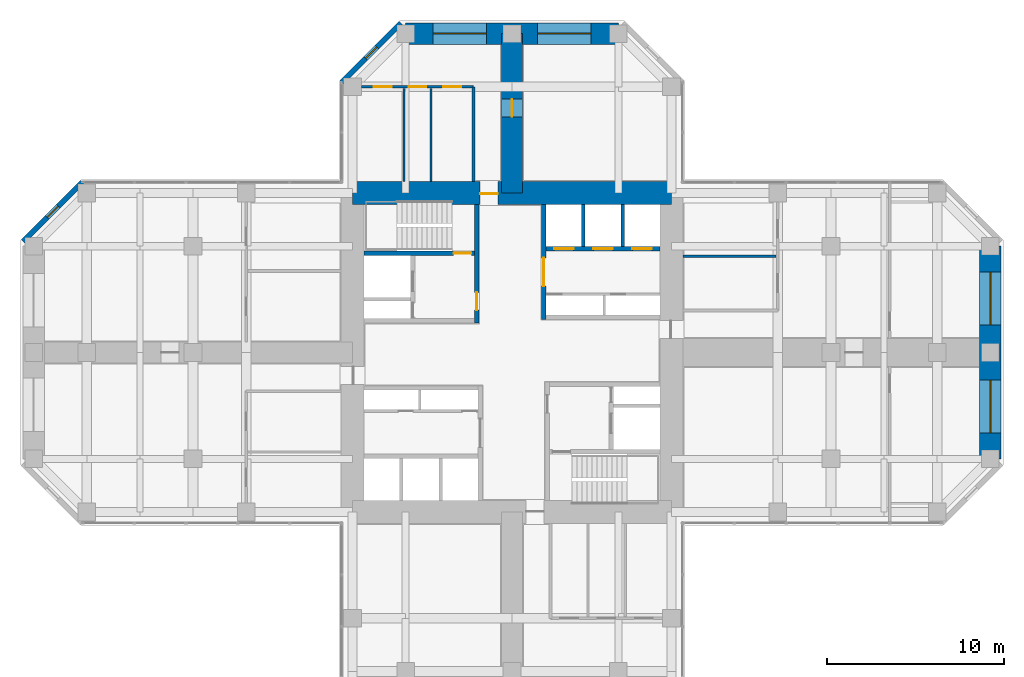
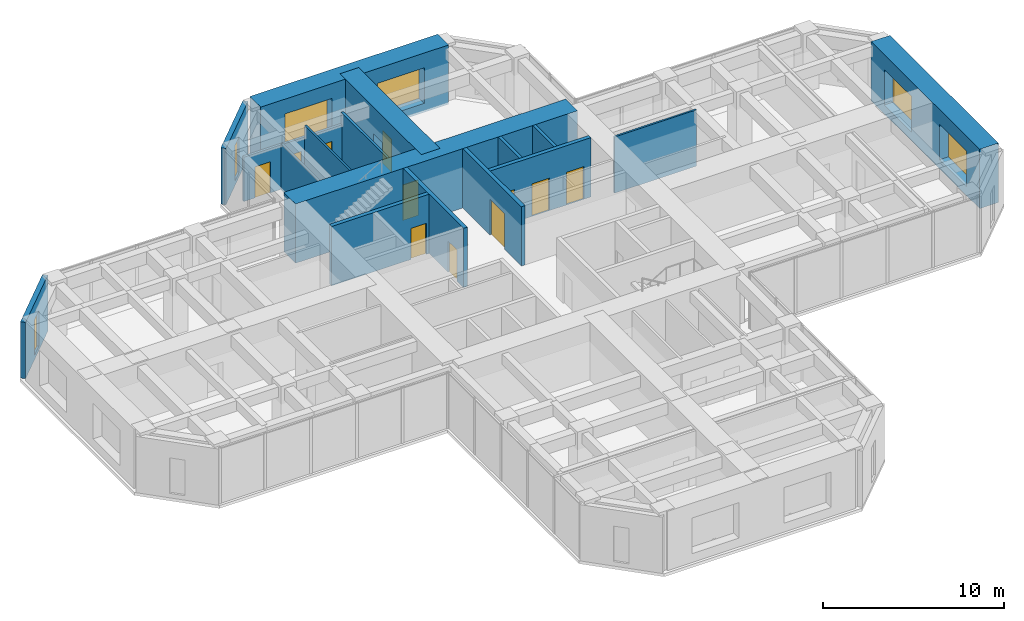
# One storey, part 10 of 12: 17 walls, 11 doors, 6 windows, 17 openings.
"""IFC4 building model written with IfcOpenShell, lengths in metres."""

from ifc_helpers import new_model, si_unit, direction, frame, frame_2d, origin, place, context, subcontext, project, spatial, rectangle, hollow_rectangle, extrude, material, layer, layer_set, constituent, constituent_set, type_object, element, fill, save


model = new_model("IFC4")

# Units and contexts
model_context = context("Model", 3, precision=1e-05, world=origin(), true_north=direction((0.0, 1.0)))
body_context = subcontext(model_context, "Body", "Model", "MODEL_VIEW")
ifc_project = project(units=[si_unit("LENGTHUNIT", "METRE"), si_unit("AREAUNIT", "SQUARE_METRE"), si_unit("VOLUMEUNIT", "CUBIC_METRE"), si_unit("PLANEANGLEUNIT", "RADIAN"), si_unit("MASSUNIT", "GRAM", prefix="KILO")], contexts=[model_context])

# Site, building, storey
site_placement = place(None, origin())
site = spatial("IfcSite", under=ifc_project, at=site_placement, CompositionType="ELEMENT")
building_placement = place(site_placement, origin())
building = spatial("IfcBuilding", under=site, at=building_placement, Name="Torre Cruceta", CompositionType="ELEMENT")
storey_placement = place(building_placement, frame((0.0, 0.0, 148.5)))
storey = spatial("IfcBuildingStorey", under=building, at=storey_placement, Name="L36", CompositionType="ELEMENT", Elevation=148.5)

# Wall, opening, door
ifc_material_1 = material(Name="Concrete G60 (fck 60 MPa)", Category="concrete")
ifc_layer_1 = layer(ifc_material_1, 0.25)
ifc_layer_set_1 = layer_set([ifc_layer_1], Name="Concrete G60 (fck 60 MPa)")
wall_type_1 = type_object("IfcWallType", Name="CORE INNER WALL 250 G60", PredefinedType="SHEAR", material=ifc_layer_set_1)
wall_1_placement = place(storey_placement, frame((1.800048828125, 1.875, 0.0), z_axis=(0.0, 0.0, 1.0), x_axis=(0.0, 1.0, 0.0)))
wall_1 = element("IfcWall", 1, at=wall_1_placement, inside=storey, type_object=wall_type_1, Name="CW4 L36 NE-CU", PredefinedType="SHEAR", context=body_context, shape_type="SweptSolid", body=[
    extrude(rectangle(XDim=6.47509765625, YDim=0.25, at=frame_2d((3.237548828125, 0.0))), origin(), (0.0, 0.0, 1.0), 4.0),
])
opening_1_placement = place(wall_1_placement, frame((1.875, 0.0, 0.0)))
opening_1 = element("IfcOpeningElement", 2, at=opening_1_placement, cuts=wall_1, Name="Opening D8", PredefinedType="OPENING", context=body_context, shape_type="SweptSolid", body=[
    extrude(rectangle(XDim=1.60009765625, YDim=2.39990234375, at=frame_2d((0.800048828125, 1.199951171875))), frame((0.0, 0.135009765625, 0.0), z_axis=(0.0, -1.0, 0.0), x_axis=(1.0, 0.0, 0.0)), (0.0, 0.0, 1.0), 0.27001953125),
])
ifc_material_2 = material(Name="Steel DX51D", Category="steel")
ifc_constituent_1 = constituent(ifc_material_2, Name="Leaf and frame")
ifc_material_3 = material(Name="Polyester powder coating", Category="paint")
ifc_constituent_2 = constituent(ifc_material_3, Name="Finish")
ifc_material_4 = material(Name="Fire-resisting glass", Category="glass")
ifc_constituent_3 = constituent(ifc_material_4, Name="Vision panel")
ifc_constituent_set_1 = constituent_set(constituents=[ifc_constituent_1, ifc_constituent_2, ifc_constituent_3], Name="Steel fire door with vision panels")
door_type_1 = type_object("IfcDoorType", Name="LIFT LOBBY DOUBLE DOOR 1600X2400", OperationType="DOUBLE_DOOR_DOUBLE_SWING", PredefinedType="DOOR", material=ifc_constituent_set_1)
door_1_placement = place(opening_1_placement, origin())
door_1 = element("IfcDoor", 3, at=door_1_placement, inside=storey, type_object=door_type_1, Name="D8 L36 NE-LOBBY", OperationType="DOUBLE_DOOR_DOUBLE_SWING", OverallHeight=2.39990234375, OverallWidth=1.60009765625, PredefinedType="DOOR", context=body_context, shape_type="SweptSolid", body=[
    extrude(rectangle(XDim=1.60009765625, YDim=2.39990234375, at=frame_2d((0.800048828125, 1.199951171875))), frame((0.0, 0.02490234375, 0.0), z_axis=(0.0, -1.0, 0.0), x_axis=(1.0, 0.0, 0.0)), (0.0, 0.0, 1.0), 0.050048828125),
])
fill(opening_1, door_1)

# Wall, openings, doors
wall_2_placement = place(storey_placement, frame((1.925048828125, 5.85009765625, 0.0), z_axis=(0.0, 0.0, 1.0), x_axis=(1.0, 0.0, 0.0)))
wall_2 = element("IfcWall", 4, at=wall_2_placement, inside=storey, type_object=wall_type_1, Name="CW4 L36 NE-LV", PredefinedType="SHEAR", context=body_context, shape_type="SweptSolid", body=[
    extrude(rectangle(XDim=6.425048828125, YDim=0.25, at=frame_2d((3.21240234375, 0.0))), origin(), (0.0, 0.0, 1.0), 4.0),
])
opening_2_placement = place(wall_2_placement, frame((0.4541015625, 0.0, 0.0)))
opening_2 = element("IfcOpeningElement", 5, at=opening_2_placement, cuts=wall_2, Name="Opening LD1", PredefinedType="OPENING", context=body_context, shape_type="SweptSolid", body=[
    extrude(rectangle(XDim=1.10009765625, YDim=2.199951171875, at=frame_2d((0.550048828125, 1.10009765625))), frame((0.0, 0.135009765625, 0.0), z_axis=(0.0, -1.0, 0.0), x_axis=(1.0, 0.0, 0.0)), (0.0, 0.0, 1.0), 0.27001953125),
])
opening_3_placement = place(wall_2_placement, frame((2.66259765625, 0.0, 0.0)))
opening_3 = element("IfcOpeningElement", 6, at=opening_3_placement, cuts=wall_2, Name="Opening LD1", PredefinedType="OPENING", context=body_context, shape_type="SweptSolid", body=[
    extrude(rectangle(XDim=1.10009765625, YDim=2.199951171875, at=frame_2d((0.550048828125, 1.10009765625))), frame((0.0, 0.135009765625, 0.0), z_axis=(0.0, -1.0, 0.0), x_axis=(1.0, 0.0, 0.0)), (0.0, 0.0, 1.0), 0.27001953125),
])
opening_4_placement = place(wall_2_placement, frame((4.870849609375, 0.0, 0.0)))
opening_4 = element("IfcOpeningElement", 7, at=opening_4_placement, cuts=wall_2, Name="Opening LD1", PredefinedType="OPENING", context=body_context, shape_type="SweptSolid", body=[
    extrude(rectangle(XDim=1.10009765625, YDim=2.199951171875, at=frame_2d((0.550048828125, 1.10009765625))), frame((0.0, 0.135009765625, 0.0), z_axis=(0.0, -1.0, 0.0), x_axis=(1.0, 0.0, 0.0)), (0.0, 0.0, 1.0), 0.27001953125),
])
ifc_material_5 = material(Name="Stainless steel 1.4401", Category="steel")
door_type_2 = type_object("IfcDoorType", Name="LIFT LANDING DOOR 1100X2200", OperationType="DOUBLE_DOOR_SLIDING", PredefinedType="DOOR", material=ifc_material_5)
door_2_placement = place(opening_2_placement, origin())
door_2 = element("IfcDoor", 8, at=door_2_placement, inside=storey, type_object=door_type_2, Name="Lift landing door P1", OperationType="DOUBLE_DOOR_SLIDING", OverallHeight=2.199951171875, OverallWidth=1.10009765625, PredefinedType="DOOR", context=body_context, shape_type="SweptSolid", body=[
    extrude(rectangle(XDim=1.10009765625, YDim=2.199951171875, at=frame_2d((0.550048828125, 1.10009765625))), frame((0.0, 0.02490234375, 0.0), z_axis=(0.0, -1.0, 0.0), x_axis=(1.0, 0.0, 0.0)), (0.0, 0.0, 1.0), 0.050048828125),
])
fill(opening_2, door_2)
door_3_placement = place(opening_3_placement, origin())
door_3 = element("IfcDoor", 9, at=door_3_placement, inside=storey, type_object=door_type_2, Name="Lift landing door P2", OperationType="DOUBLE_DOOR_SLIDING", OverallHeight=2.199951171875, OverallWidth=1.10009765625, PredefinedType="DOOR", context=body_context, shape_type="SweptSolid", body=[
    extrude(rectangle(XDim=1.10009765625, YDim=2.199951171875, at=frame_2d((0.550048828125, 1.10009765625))), frame((0.0, 0.02490234375, 0.0), z_axis=(0.0, -1.0, 0.0), x_axis=(1.0, 0.0, 0.0)), (0.0, 0.0, 1.0), 0.050048828125),
])
fill(opening_3, door_3)
door_4_placement = place(opening_4_placement, origin())
door_4 = element("IfcDoor", 10, at=door_4_placement, inside=storey, type_object=door_type_2, Name="Lift landing door P3", OperationType="DOUBLE_DOOR_SLIDING", OverallHeight=2.199951171875, OverallWidth=1.10009765625, PredefinedType="DOOR", context=body_context, shape_type="SweptSolid", body=[
    extrude(rectangle(XDim=1.10009765625, YDim=2.199951171875, at=frame_2d((0.550048828125, 1.10009765625))), frame((0.0, 0.02490234375, 0.0), z_axis=(0.0, -1.0, 0.0), x_axis=(1.0, 0.0, 0.0)), (0.0, 0.0, 1.0), 0.050048828125),
])
fill(opening_4, door_4)

# Wall, opening, door
wall_3_placement = place(storey_placement, frame((-2.0, 1.675048828125, 0.0), z_axis=(0.0, 0.0, 1.0), x_axis=(0.0, 1.0, 0.0)))
wall_3 = element("IfcWall", 11, at=wall_3_placement, inside=storey, type_object=wall_type_1, Name="CW4 L36 NW-CU", PredefinedType="SHEAR", context=body_context, shape_type="SweptSolid", body=[
    extrude(rectangle(XDim=6.675048828125, YDim=0.25, at=frame_2d((3.33740234375, 0.0))), origin(), (0.0, 0.0, 1.0), 4.0),
])
opening_5_placement = place(wall_3_placement, frame((0.72509765625, 0.0, 0.0)))
opening_5 = element("IfcOpeningElement", 12, at=opening_5_placement, cuts=wall_3, Name="Opening D3", PredefinedType="OPENING", context=body_context, shape_type="SweptSolid", body=[
    extrude(rectangle(XDim=1.0, YDim=2.10009765625, at=frame_2d((0.5, 1.050048828125))), frame((0.0, 0.135009765625, 0.0), z_axis=(0.0, -1.0, 0.0), x_axis=(1.0, 0.0, 0.0)), (0.0, 0.0, 1.0), 0.27001953125),
])
ifc_material_6 = material(Name="Steel DX51D", Category="steel")
ifc_constituent_4 = constituent(ifc_material_6, Name="Leaf and frame")
ifc_material_7 = material(Name="Polyester powder coating", Category="paint")
ifc_constituent_5 = constituent(ifc_material_7, Name="Finish")
ifc_constituent_set_2 = constituent_set(constituents=[ifc_constituent_4, ifc_constituent_5], Name="Steel fire door")
door_type_3 = type_object("IfcDoorType", Name="FIRE DOOR 1000X2100", OperationType="SINGLE_SWING_LEFT", PredefinedType="DOOR", material=ifc_constituent_set_2)
door_5_placement = place(opening_5_placement, origin())
door_5 = element("IfcDoor", 13, at=door_5_placement, inside=storey, type_object=door_type_3, Name="D3 L36 NW-LOBBY", OperationType="SINGLE_SWING_LEFT", OverallHeight=2.10009765625, OverallWidth=1.0, PredefinedType="DOOR", context=body_context, shape_type="SweptSolid", body=[
    extrude(rectangle(XDim=1.0, YDim=2.10009765625, at=frame_2d((0.5, 1.050048828125))), frame((0.0, 0.02490234375, 0.0), z_axis=(0.0, -1.0, 0.0), x_axis=(1.0, 0.0, 0.0)), (0.0, 0.0, 1.0), 0.050048828125),
])
fill(opening_5, door_5)

wall_4_placement = place(storey_placement, frame((-2.125, 5.60009765625, 0.0), z_axis=(0.0, 0.0, 1.0), x_axis=(-1.0, 0.0, 0.0)))
wall_4 = element("IfcWall", 14, at=wall_4_placement, inside=storey, type_object=wall_type_1, Name="CW4 L36 NW-SV", PredefinedType="SHEAR", context=body_context, shape_type="SweptSolid", body=[
    extrude(rectangle(XDim=6.22509765625, YDim=0.25, at=frame_2d((3.112548828125, 0.0))), origin(), (0.0, 0.0, 1.0), 4.0),
])
opening_6_placement = place(wall_4_placement, frame((0.175048828125, 0.0, 0.0)))
opening_6 = element("IfcOpeningElement", 15, at=opening_6_placement, cuts=wall_4, Name="Opening D3", PredefinedType="OPENING", context=body_context, shape_type="SweptSolid", body=[
    extrude(rectangle(XDim=1.0, YDim=2.10009765625, at=frame_2d((0.5, 1.050048828125))), frame((0.0, 0.135009765625, 0.0), z_axis=(0.0, -1.0, 0.0), x_axis=(1.0, 0.0, 0.0)), (0.0, 0.0, 1.0), 0.27001953125),
])
door_6_placement = place(opening_6_placement, frame((1.0, 0.0, 0.0), z_axis=(0.0, 0.0, 1.0), x_axis=(-1.0, 0.0, 0.0)))
door_6 = element("IfcDoor", 16, at=door_6_placement, inside=storey, type_object=door_type_3, Name="D3 L36 NW-STAIR", OperationType="SINGLE_SWING_RIGHT", OverallHeight=2.10009765625, OverallWidth=1.0, PredefinedType="DOOR", context=body_context, shape_type="SweptSolid", body=[
    extrude(rectangle(XDim=1.0, YDim=2.10009765625, at=frame_2d((0.5, 1.050048828125))), frame((0.0, 0.025146484375, 0.0), z_axis=(0.0, -1.0, 0.0), x_axis=(1.0, 0.0, 0.0)), (0.0, 0.0, 1.0), 0.050048828125),
])
fill(opening_6, door_6)

ifc_material_8 = material(Name="Concrete G60 (fck 60 MPa)", Category="concrete")
ifc_layer_2 = layer(ifc_material_8, 1.300048828125)
ifc_layer_set_2 = layer_set([ifc_layer_2], Name="Concrete G60 (fck 60 MPa)")
wall_type_2 = type_object("IfcWallType", Name="CORE WALL 1300 G60", PredefinedType="SHEAR", material=ifc_layer_set_2)
wall_5_placement = place(storey_placement, frame((9.0, 9.0, 0.0), z_axis=(0.0, 0.0, 1.0), x_axis=(-1.0, 0.0, 0.0)))
wall_5 = element("IfcWall", 17, at=wall_5_placement, inside=storey, type_object=wall_type_2, Name="CW1 L36 CW-N", PredefinedType="SHEAR", context=body_context, shape_type="SweptSolid", body=[
    extrude(rectangle(XDim=18.0, YDim=1.300048828125, at=frame_2d((9.0, 0.0))), origin(), (0.0, 0.0, 1.0), 4.0),
])
opening_7_placement = place(wall_5_placement, frame((9.800048828125, 0.0, 0.0)))
opening_7 = element("IfcOpeningElement", 18, at=opening_7_placement, cuts=wall_5, Name="Opening D4", PredefinedType="OPENING", context=body_context, shape_type="SweptSolid", body=[
    extrude(rectangle(XDim=1.0, YDim=2.39990234375, at=frame_2d((0.5, 1.199951171875))), frame((0.0, 0.659912109375, 0.0), z_axis=(0.0, -1.0, 0.0), x_axis=(1.0, 0.0, 0.0)), (0.0, 0.0, 1.0), 1.320068359375),
])
ifc_material_9 = material(Name="Steel DX51D", Category="steel")
ifc_constituent_6 = constituent(ifc_material_9, Name="Leaf and frame")
ifc_material_10 = material(Name="Polyester powder coating", Category="paint")
ifc_constituent_7 = constituent(ifc_material_10, Name="Finish")
ifc_constituent_set_3 = constituent_set(constituents=[ifc_constituent_6, ifc_constituent_7], Name="Steel fire door")
door_type_4 = type_object("IfcDoorType", Name="CORE ARM DOOR 1000X2400", OperationType="SINGLE_SWING_RIGHT", PredefinedType="DOOR", material=ifc_constituent_set_3)
door_7_placement = place(opening_7_placement, frame((1.0, 0.0, 0.0), z_axis=(0.0, 0.0, 1.0), x_axis=(-1.0, 0.0, 0.0)))
door_7 = element("IfcDoor", 19, at=door_7_placement, inside=storey, type_object=door_type_4, Name="D4 L36 CW-N", OperationType="SINGLE_SWING_RIGHT", OverallHeight=2.39990234375, OverallWidth=1.0, PredefinedType="DOOR", context=body_context, shape_type="SweptSolid", body=[
    extrude(rectangle(XDim=1.0, YDim=2.39990234375, at=frame_2d((0.5, 1.199951171875))), frame((0.0, -0.005126953125, 0.0), z_axis=(0.0, -1.0, 0.0), x_axis=(1.0, 0.0, 0.0)), (0.0, 0.0, 1.0), 0.050048828125),
])
fill(opening_7, door_7)

# Wall, opening, window
ifc_material_11 = material(Name="Concrete G30 (fck 30 MPa)", Category="concrete")
ifc_layer_3 = layer(ifc_material_11, 0.300048828125)
ifc_layer_set_3 = layer_set([ifc_layer_3], Name="Concrete G30 (fck 30 MPa)")
wall_type_3 = type_object("IfcWallType", Name="EXPOSED CONCRETE FACADE WALL 300", PredefinedType="SOLIDWALL", material=ifc_layer_set_3)
wall_6_placement = place(storey_placement, frame((-6.27685546875, 18.60009765625, 0.0), z_axis=(0.0, 0.0, 1.0), x_axis=(-0.707106781187, -0.707106781187, 0.0)))
wall_6 = element("IfcWall", 20, at=wall_6_placement, inside=storey, type_object=wall_type_3, Name="EW1 facade wall L36 N chamfer 08", PredefinedType="SOLIDWALL", context=body_context, shape_type="SweptSolid", body=[
    extrude(rectangle(XDim=4.72802734375, YDim=0.300048828125, at=frame_2d((2.364013671875, 0.0))), origin(), (0.0, 0.0, 1.0), 3.800048828125),
])
opening_8_placement = place(wall_6_placement, frame((1.9140625, 0.0, 0.300048828125)))
opening_8 = element("IfcOpeningElement", 21, at=opening_8_placement, cuts=wall_6, Name="Opening WN5", PredefinedType="OPENING", context=body_context, shape_type="SweptSolid", body=[
    extrude(rectangle(XDim=0.89990234375, YDim=2.39990234375, at=frame_2d((0.449951171875, 1.199951171875))), frame((0.0, 0.159912109375, 0.0), z_axis=(0.0, -1.0, 0.0), x_axis=(1.0, 0.0, 0.0)), (0.0, 0.0, 1.0), 0.320068359375),
])
ifc_material_12 = material(Name="Aluminium window frame", Category="aluminium")
ifc_constituent_8 = constituent(ifc_material_12, Name="Frame")
ifc_material_13 = material(Name="Laminated insulating glass unit, low-iron clear", Category="glass")
ifc_constituent_9 = constituent(ifc_material_13, Name="Glazing")
ifc_constituent_set_4 = constituent_set(constituents=[ifc_constituent_8, ifc_constituent_9], Name="Aluminium window")
window_type_1 = type_object("IfcWindowType", Name="CHAMFER SLOT WINDOW 900X2400", PartitioningType="SINGLE_PANEL", PredefinedType="WINDOW", material=ifc_constituent_set_4)
window_1_placement = place(opening_8_placement, origin())
window_1 = element("IfcWindow", 22, at=window_1_placement, inside=storey, type_object=window_type_1, Name="WN5 L36 N 1", OverallHeight=2.39990234375, OverallWidth=0.89990234375, PartitioningType="SINGLE_PANEL", PredefinedType="WINDOW", context=body_context, shape_type="SweptSolid", body=[
    extrude(hollow_rectangle(XDim=0.89990234375, YDim=2.39990234375, WallThickness=0.06005859375, at=frame_2d((0.449951171875, 1.199951171875))), frame((0.0, 0.030029296875, 0.0), z_axis=(0.0, -1.0, 0.0), x_axis=(1.0, 0.0, 0.0)), (0.0, 0.0, 1.0), 0.06005859375),
    extrude(rectangle(XDim=0.77880859375, YDim=2.27880859375, at=frame_2d((0.449951171875, 1.199951171875))), frame((0.0, 0.030029296875, 0.0), z_axis=(0.0, -1.0, 0.0), x_axis=(1.0, 0.0, 0.0)), (0.0, 0.0, 1.0), 0.06005859375),
])
fill(opening_8, window_1)

wall_7_placement = place(storey_placement, frame((-24.2568359375, 9.6201171875, 0.0), z_axis=(0.0, 0.0, 1.0), x_axis=(-0.707106781187, -0.707106781187, 0.0)))
wall_7 = element("IfcWall", 23, at=wall_7_placement, inside=storey, type_object=wall_type_3, Name="EW1 facade wall L36 W chamfer 11", PredefinedType="SOLIDWALL", context=body_context, shape_type="SweptSolid", body=[
    extrude(rectangle(XDim=4.72802734375, YDim=0.300048828125, at=frame_2d((2.364013671875, 0.0))), origin(), (0.0, 0.0, 1.0), 3.800048828125),
])
opening_9_placement = place(wall_7_placement, frame((1.9140625, 0.0, 0.300048828125)))
opening_9 = element("IfcOpeningElement", 24, at=opening_9_placement, cuts=wall_7, Name="Opening WN5", PredefinedType="OPENING", context=body_context, shape_type="SweptSolid", body=[
    extrude(rectangle(XDim=0.89990234375, YDim=2.39990234375, at=frame_2d((0.449951171875, 1.199951171875))), frame((0.0, 0.159912109375, 0.0), z_axis=(0.0, -1.0, 0.0), x_axis=(1.0, 0.0, 0.0)), (0.0, 0.0, 1.0), 0.320068359375),
])
window_2_placement = place(opening_9_placement, origin())
window_2 = element("IfcWindow", 25, at=window_2_placement, inside=storey, type_object=window_type_1, Name="WN5 L36 W 1", OverallHeight=2.39990234375, OverallWidth=0.89990234375, PartitioningType="SINGLE_PANEL", PredefinedType="WINDOW", context=body_context, shape_type="SweptSolid", body=[
    extrude(hollow_rectangle(XDim=0.89990234375, YDim=2.39990234375, WallThickness=0.06005859375, at=frame_2d((0.449951171875, 1.199951171875))), frame((0.0, 0.030029296875, 0.0), z_axis=(0.0, -1.0, 0.0), x_axis=(1.0, 0.0, 0.0)), (0.0, 0.0, 1.0), 0.06005859375),
    extrude(rectangle(XDim=0.77880859375, YDim=2.27880859375, at=frame_2d((0.449951171875, 1.199951171875))), frame((0.0, 0.030029296875, 0.0), z_axis=(0.0, -1.0, 0.0), x_axis=(1.0, 0.0, 0.0)), (0.0, 0.0, 1.0), 0.06005859375),
])
fill(opening_9, window_2)

# Walls
ifc_material_14 = material(Name="Concrete G35 (fck 35 MPa)", Category="concrete")
ifc_layer_4 = layer(ifc_material_14, 0.199951171875)
ifc_layer_set_4 = layer_set([ifc_layer_4], Name="Concrete G35 (fck 35 MPa)")
wall_type_4 = type_object("IfcWallType", Name="LIFT SHAFT WALL 200", PredefinedType="PARTITIONING", material=ifc_layer_set_4)
for number, where, z_axis, x_axis, name in (
    (26, (4.033447265625, 5.97509765625, 0.0), (0.0, 0.0, 1.0), (0.0, 1.0, 0.0), "SW1 L36 NE-LS1"),
    (27, (6.24169921875, 5.97509765625, 0.0), (0.0, 0.0, 1.0), (0.0, 1.0, 0.0), "SW1 L36 NE-LS2"),
):
    element("IfcWall", number, at=place(storey_placement, frame(where, z_axis=z_axis, x_axis=x_axis)), inside=storey, type_object=wall_type_4, Name=name, PredefinedType="PARTITIONING", context=body_context, shape_type="SweptSolid", body=[
        extrude(rectangle(XDim=2.375, YDim=0.199951171875, at=frame_2d((1.1875, 0.0))), origin(), (0.0, 0.0, 1.0), 4.0),
    ])

# Wall, openings, windows
ifc_material_15 = material(Name="Concrete G60 (fck 60 MPa)", Category="concrete")
ifc_layer_5 = layer(ifc_material_15, 1.199951171875)
ifc_layer_set_5 = layer_set([ifc_layer_5], Name="Concrete G60 (fck 60 MPa)")
wall_type_5 = type_object("IfcWallType", Name="NOSE WALL 1200 G60", PredefinedType="SHEAR", material=ifc_layer_set_5)
wall_8_placement = place(storey_placement, frame((6.0, 18.0, 0.0), z_axis=(0.0, 0.0, 1.0), x_axis=(-1.0, 0.0, 0.0)))
wall_8 = element("IfcWall", 28, at=wall_8_placement, inside=storey, type_object=wall_type_5, Name="NW1 nose wall L36 N", PredefinedType="SHEAR", context=body_context, shape_type="SweptSolid", body=[
    extrude(rectangle(XDim=12.0, YDim=1.199951171875, at=frame_2d((6.0, 0.0))), origin(), (0.0, 0.0, 1.0), 4.0),
])
opening_10_placement = place(wall_8_placement, frame((1.550048828125, 0.0, 0.60009765625)))
opening_10 = element("IfcOpeningElement", 29, at=opening_10_placement, cuts=wall_8, Name="Opening WN6", PredefinedType="OPENING", context=body_context, shape_type="SweptSolid", body=[
    extrude(rectangle(XDim=3.0, YDim=2.39990234375, at=frame_2d((1.5, 1.199951171875))), frame((0.0, 0.60986328125, 0.0), z_axis=(0.0, -1.0, 0.0), x_axis=(1.0, 0.0, 0.0)), (0.0, 0.0, 1.0), 1.219970703125),
])
opening_11_placement = place(wall_8_placement, frame((7.449951171875, 0.0, 0.60009765625)))
opening_11 = element("IfcOpeningElement", 30, at=opening_11_placement, cuts=wall_8, Name="Opening WN6", PredefinedType="OPENING", context=body_context, shape_type="SweptSolid", body=[
    extrude(rectangle(XDim=3.0, YDim=2.39990234375, at=frame_2d((1.5, 1.199951171875))), frame((0.0, 0.60986328125, 0.0), z_axis=(0.0, -1.0, 0.0), x_axis=(1.0, 0.0, 0.0)), (0.0, 0.0, 1.0), 1.219970703125),
])
ifc_material_16 = material(Name="Aluminium window frame", Category="aluminium")
ifc_constituent_10 = constituent(ifc_material_16, Name="Frame")
ifc_material_17 = material(Name="Laminated insulating glass unit, low-iron clear", Category="glass")
ifc_constituent_11 = constituent(ifc_material_17, Name="Glazing")
ifc_constituent_set_5 = constituent_set(constituents=[ifc_constituent_10, ifc_constituent_11], Name="Aluminium window")
window_type_2 = type_object("IfcWindowType", Name="NOSE WALL WINDOW 3000X2400", PartitioningType="SINGLE_PANEL", PredefinedType="WINDOW", material=ifc_constituent_set_5)
window_3_placement = place(opening_10_placement, origin())
window_3 = element("IfcWindow", 31, at=window_3_placement, inside=storey, type_object=window_type_2, Name="WN6 L36 N 1", OverallHeight=2.39990234375, OverallWidth=3.0, PartitioningType="SINGLE_PANEL", PredefinedType="WINDOW", context=body_context, shape_type="SweptSolid", body=[
    extrude(hollow_rectangle(XDim=3.0, YDim=2.39990234375, WallThickness=0.06005859375, at=frame_2d((1.5, 1.199951171875))), frame((0.0, 0.030029296875, 0.0), z_axis=(0.0, -1.0, 0.0), x_axis=(1.0, 0.0, 0.0)), (0.0, 0.0, 1.0), 0.06005859375),
    extrude(rectangle(XDim=2.87890625, YDim=2.27880859375, at=frame_2d((1.5, 1.199951171875))), frame((0.0, 0.030029296875, 0.0), z_axis=(0.0, -1.0, 0.0), x_axis=(1.0, 0.0, 0.0)), (0.0, 0.0, 1.0), 0.06005859375),
])
fill(opening_10, window_3)
window_4_placement = place(opening_11_placement, origin())
window_4 = element("IfcWindow", 32, at=window_4_placement, inside=storey, type_object=window_type_2, Name="WN6 L36 N 2", OverallHeight=2.39990234375, OverallWidth=3.0, PartitioningType="SINGLE_PANEL", PredefinedType="WINDOW", context=body_context, shape_type="SweptSolid", body=[
    extrude(hollow_rectangle(XDim=3.0, YDim=2.39990234375, WallThickness=0.06005859375, at=frame_2d((1.5, 1.199951171875))), frame((0.0, 0.030029296875, 0.0), z_axis=(0.0, -1.0, 0.0), x_axis=(1.0, 0.0, 0.0)), (0.0, 0.0, 1.0), 0.06005859375),
    extrude(rectangle(XDim=2.87890625, YDim=2.27880859375, at=frame_2d((1.5, 1.199951171875))), frame((0.0, 0.030029296875, 0.0), z_axis=(0.0, -1.0, 0.0), x_axis=(1.0, 0.0, 0.0)), (0.0, 0.0, 1.0), 0.06005859375),
])
fill(opening_11, window_4)

wall_9_placement = place(storey_placement, frame((27.0, -6.0, 0.0), z_axis=(0.0, 0.0, 1.0), x_axis=(0.0, 1.0, 0.0)))
wall_9 = element("IfcWall", 33, at=wall_9_placement, inside=storey, type_object=wall_type_5, Name="NW1 nose wall L36 E", PredefinedType="SHEAR", context=body_context, shape_type="SweptSolid", body=[
    extrude(rectangle(XDim=12.0, YDim=1.199951171875, at=frame_2d((6.0, 0.0))), origin(), (0.0, 0.0, 1.0), 4.0),
])
opening_12_placement = place(wall_9_placement, frame((1.449951171875, 0.0, 0.60009765625)))
opening_12 = element("IfcOpeningElement", 34, at=opening_12_placement, cuts=wall_9, Name="Opening WN6", PredefinedType="OPENING", context=body_context, shape_type="SweptSolid", body=[
    extrude(rectangle(XDim=3.0, YDim=2.39990234375, at=frame_2d((1.5, 1.199951171875))), frame((0.0, 0.60986328125, 0.0), z_axis=(0.0, -1.0, 0.0), x_axis=(1.0, 0.0, 0.0)), (0.0, 0.0, 1.0), 1.219970703125),
])
opening_13_placement = place(wall_9_placement, frame((7.550048828125, 0.0, 0.60009765625)))
opening_13 = element("IfcOpeningElement", 35, at=opening_13_placement, cuts=wall_9, Name="Opening WN6", PredefinedType="OPENING", context=body_context, shape_type="SweptSolid", body=[
    extrude(rectangle(XDim=3.0, YDim=2.39990234375, at=frame_2d((1.5, 1.199951171875))), frame((0.0, 0.60986328125, 0.0), z_axis=(0.0, -1.0, 0.0), x_axis=(1.0, 0.0, 0.0)), (0.0, 0.0, 1.0), 1.219970703125),
])
window_5_placement = place(opening_12_placement, origin())
window_5 = element("IfcWindow", 36, at=window_5_placement, inside=storey, type_object=window_type_2, Name="WN6 L36 E 1", OverallHeight=2.39990234375, OverallWidth=3.0, PartitioningType="SINGLE_PANEL", PredefinedType="WINDOW", context=body_context, shape_type="SweptSolid", body=[
    extrude(hollow_rectangle(XDim=3.0, YDim=2.39990234375, WallThickness=0.06005859375, at=frame_2d((1.5, 1.199951171875))), frame((0.0, 0.030029296875, 0.0), z_axis=(0.0, -1.0, 0.0), x_axis=(1.0, 0.0, 0.0)), (0.0, 0.0, 1.0), 0.06005859375),
    extrude(rectangle(XDim=2.87890625, YDim=2.27880859375, at=frame_2d((1.5, 1.199951171875))), frame((0.0, 0.030029296875, 0.0), z_axis=(0.0, -1.0, 0.0), x_axis=(1.0, 0.0, 0.0)), (0.0, 0.0, 1.0), 0.06005859375),
])
fill(opening_12, window_5)
window_6_placement = place(opening_13_placement, origin())
window_6 = element("IfcWindow", 37, at=window_6_placement, inside=storey, type_object=window_type_2, Name="WN6 L36 E 2", OverallHeight=2.39990234375, OverallWidth=3.0, PartitioningType="SINGLE_PANEL", PredefinedType="WINDOW", context=body_context, shape_type="SweptSolid", body=[
    extrude(hollow_rectangle(XDim=3.0, YDim=2.39990234375, WallThickness=0.06005859375, at=frame_2d((1.5, 1.199951171875))), frame((0.0, 0.030029296875, 0.0), z_axis=(0.0, -1.0, 0.0), x_axis=(1.0, 0.0, 0.0)), (0.0, 0.0, 1.0), 0.06005859375),
    extrude(rectangle(XDim=2.87890625, YDim=2.27880859375, at=frame_2d((1.5, 1.199951171875))), frame((0.0, 0.030029296875, 0.0), z_axis=(0.0, -1.0, 0.0), x_axis=(1.0, 0.0, 0.0)), (0.0, 0.0, 1.0), 0.06005859375),
])
fill(opening_13, window_6)

# Wall, openings, doors
ifc_material_18 = material(Name="Plasterboard on steel studs", Category="steel")
ifc_layer_6 = layer(ifc_material_18, 0.14990234375)
ifc_layer_set_6 = layer_set([ifc_layer_6], Name="Plasterboard on steel studs")
wall_type_6 = type_object("IfcWallType", Name="PARTITION 150", PredefinedType="PARTITIONING", material=ifc_layer_set_6)
wall_10_placement = place(storey_placement, frame((-2.175048828125, 15.0, 0.0), z_axis=(0.0, 0.0, 1.0), x_axis=(-1.0, 0.0, 0.0)))
wall_10 = element("IfcWall", 38, at=wall_10_placement, inside=storey, type_object=wall_type_6, Name="PT1 L36-N-BFL", PredefinedType="PARTITIONING", context=body_context, shape_type="SweptSolid", body=[
    extrude(rectangle(XDim=6.324951171875, YDim=0.14990234375, at=frame_2d((3.16259765625, 0.0))), origin(), (0.0, 0.0, 1.0), 3.0),
])
opening_14_placement = place(wall_10_placement, frame((0.699951171875, 0.0, 0.0)))
opening_14 = element("IfcOpeningElement", 39, at=opening_14_placement, cuts=wall_10, Name="Opening D3", PredefinedType="OPENING", context=body_context, shape_type="SweptSolid", body=[
    extrude(rectangle(XDim=1.0, YDim=2.10009765625, at=frame_2d((0.5, 1.050048828125))), frame((0.0, 0.0849609375, 0.0), z_axis=(0.0, -1.0, 0.0), x_axis=(1.0, 0.0, 0.0)), (0.0, 0.0, 1.0), 0.169921875),
])
opening_15_placement = place(wall_10_placement, frame((2.66259765625, 0.0, 0.0)))
opening_15 = element("IfcOpeningElement", 40, at=opening_15_placement, cuts=wall_10, Name="Opening D3", PredefinedType="OPENING", context=body_context, shape_type="SweptSolid", body=[
    extrude(rectangle(XDim=1.0, YDim=2.10009765625, at=frame_2d((0.5, 1.050048828125))), frame((0.0, 0.0849609375, 0.0), z_axis=(0.0, -1.0, 0.0), x_axis=(1.0, 0.0, 0.0)), (0.0, 0.0, 1.0), 0.169921875),
])
opening_16_placement = place(wall_10_placement, frame((4.625, 0.0, 0.0)))
opening_16 = element("IfcOpeningElement", 41, at=opening_16_placement, cuts=wall_10, Name="Opening D3", PredefinedType="OPENING", context=body_context, shape_type="SweptSolid", body=[
    extrude(rectangle(XDim=1.0, YDim=2.10009765625, at=frame_2d((0.5, 1.050048828125))), frame((0.0, 0.0849609375, 0.0), z_axis=(0.0, -1.0, 0.0), x_axis=(1.0, 0.0, 0.0)), (0.0, 0.0, 1.0), 0.169921875),
])
door_8_placement = place(opening_14_placement, origin())
door_8 = element("IfcDoor", 42, at=door_8_placement, inside=storey, type_object=door_type_3, Name="D3 L36-N-BFL-D1", OperationType="SINGLE_SWING_LEFT", OverallHeight=2.10009765625, OverallWidth=1.0, PredefinedType="DOOR", context=body_context, shape_type="SweptSolid", body=[
    extrude(rectangle(XDim=1.0, YDim=2.10009765625, at=frame_2d((0.5, 1.050048828125))), frame((0.0, 0.02490234375, 0.0), z_axis=(0.0, -1.0, 0.0), x_axis=(1.0, 0.0, 0.0)), (0.0, 0.0, 1.0), 0.050048828125),
])
fill(opening_14, door_8)
door_9_placement = place(opening_15_placement, origin())
door_9 = element("IfcDoor", 43, at=door_9_placement, inside=storey, type_object=door_type_3, Name="D3 L36-N-BFL-D2", OperationType="SINGLE_SWING_LEFT", OverallHeight=2.10009765625, OverallWidth=1.0, PredefinedType="DOOR", context=body_context, shape_type="SweptSolid", body=[
    extrude(rectangle(XDim=1.0, YDim=2.10009765625, at=frame_2d((0.5, 1.050048828125))), frame((0.0, 0.02490234375, 0.0), z_axis=(0.0, -1.0, 0.0), x_axis=(1.0, 0.0, 0.0)), (0.0, 0.0, 1.0), 0.050048828125),
])
fill(opening_15, door_9)
door_10_placement = place(opening_16_placement, origin())
door_10 = element("IfcDoor", 44, at=door_10_placement, inside=storey, type_object=door_type_3, Name="D3 L36-N-BFL-D3", OperationType="SINGLE_SWING_LEFT", OverallHeight=2.10009765625, OverallWidth=1.0, PredefinedType="DOOR", context=body_context, shape_type="SweptSolid", body=[
    extrude(rectangle(XDim=1.0, YDim=2.10009765625, at=frame_2d((0.5, 1.050048828125))), frame((0.0, 0.02490234375, 0.0), z_axis=(0.0, -1.0, 0.0), x_axis=(1.0, 0.0, 0.0)), (0.0, 0.0, 1.0), 0.050048828125),
])
fill(opening_16, door_10)

# Wall
wall_11_placement = place(storey_placement, frame((-2.175048828125, 9.64990234375, 0.0), z_axis=(0.0, 0.0, 1.0), x_axis=(0.0, 1.0, 0.0)))
element("IfcWall", 45, at=wall_11_placement, inside=storey, type_object=wall_type_6, Name="PT1 L36-N-BSL", PredefinedType="PARTITIONING", context=body_context, shape_type="SweptSolid", body=[
    extrude(rectangle(XDim=5.35009765625, YDim=0.14990234375, at=frame_2d((2.675048828125, 0.0))), origin(), (0.0, 0.0, 1.0), 3.800048828125),
])

# Wall, opening, door
ifc_material_19 = material(Name="Concrete G60 (fck 60 MPa)", Category="concrete")
ifc_layer_7 = layer(ifc_material_19, 1.199951171875)
ifc_layer_set_7 = layer_set([ifc_layer_7], Name="Concrete G60 (fck 60 MPa)")
wall_type_7 = type_object("IfcWallType", Name="SPINE WALL 1200 G60", PredefinedType="SHEAR", material=ifc_layer_set_7)
wall_12_placement = place(storey_placement, frame((0.0, 9.0, 0.0), z_axis=(0.0, 0.0, 1.0), x_axis=(0.0, 1.0, 0.0)))
wall_12 = element("IfcWall", 46, at=wall_12_placement, inside=storey, type_object=wall_type_7, Name="SW3 spine wall L36 N", PredefinedType="SHEAR", context=body_context, shape_type="SweptSolid", body=[
    extrude(rectangle(XDim=9.0, YDim=1.199951171875, at=frame_2d((4.5, 0.0))), origin(), (0.0, 0.0, 1.0), 4.0),
])
opening_17_placement = place(wall_12_placement, frame((4.300048828125, 0.0, 0.0)))
opening_17 = element("IfcOpeningElement", 47, at=opening_17_placement, cuts=wall_12, Name="Opening D14", PredefinedType="OPENING", context=body_context, shape_type="SweptSolid", body=[
    extrude(rectangle(XDim=1.0, YDim=2.199951171875, at=frame_2d((0.5, 1.10009765625))), frame((0.0, 0.60986328125, 0.0), z_axis=(0.0, -1.0, 0.0), x_axis=(1.0, 0.0, 0.0)), (0.0, 0.0, 1.0), 1.219970703125),
])
ifc_material_20 = material(Name="Steel DX51D", Category="steel")
ifc_constituent_12 = constituent(ifc_material_20, Name="Leaf and frame")
ifc_material_21 = material(Name="Polyester powder coating", Category="paint")
ifc_constituent_13 = constituent(ifc_material_21, Name="Finish")
ifc_material_22 = material(Name="Fire-resisting glass", Category="glass")
ifc_constituent_14 = constituent(ifc_material_22, Name="Vision panel")
ifc_constituent_set_6 = constituent_set(constituents=[ifc_constituent_12, ifc_constituent_13, ifc_constituent_14], Name="Steel fire door with vision panel")
door_type_5 = type_object("IfcDoorType", Name="FIRE DOOR VISION PANEL 1000X2200", OperationType="SINGLE_SWING_RIGHT", PredefinedType="DOOR", material=ifc_constituent_set_6)
door_11_placement = place(opening_17_placement, origin())
door_11 = element("IfcDoor", 48, at=door_11_placement, inside=storey, type_object=door_type_5, Name="D14 L36-N-SP1", OperationType="SINGLE_SWING_RIGHT", OverallHeight=2.199951171875, OverallWidth=1.0, PredefinedType="DOOR", context=body_context, shape_type="SweptSolid", body=[
    extrude(rectangle(XDim=1.0, YDim=2.199951171875, at=frame_2d((0.5, 1.10009765625))), frame((0.0, 0.02490234375, 0.0), z_axis=(0.0, -1.0, 0.0), x_axis=(1.0, 0.0, 0.0)), (0.0, 0.0, 1.0), 0.050048828125),
])
fill(opening_17, door_11)

# Walls
ifc_material_23 = material(Name="Plasterboard on steel studs", Category="steel")
ifc_layer_8 = layer(ifc_material_23, 0.1201171875)
ifc_layer_set_8 = layer_set([ifc_layer_8], Name="Plasterboard on steel studs")
wall_type_8 = type_object("IfcWallType", Name="WC PARTITION 120", PredefinedType="PLUMBINGWALL", material=ifc_layer_set_8)
wall_13_placement = place(storey_placement, frame((-4.574951171875, 9.64990234375, 0.0), z_axis=(0.0, 0.0, 1.0), x_axis=(0.0, 1.0, 0.0)))
element("IfcWall", 49, at=wall_13_placement, inside=storey, type_object=wall_type_8, Name="PT5 L36-N-BDL1", PredefinedType="PLUMBINGWALL", context=body_context, shape_type="SweptSolid", body=[
    extrude(rectangle(XDim=5.25, YDim=0.1201171875, at=frame_2d((2.625, 0.0))), origin(), (0.0, 0.0, 1.0), 3.800048828125),
])
wall_14_placement = place(storey_placement, frame((-6.10009765625, 9.64990234375, 0.0), z_axis=(0.0, 0.0, 1.0), x_axis=(0.0, 1.0, 0.0)))
element("IfcWall", 50, at=wall_14_placement, inside=storey, type_object=wall_type_8, Name="PT5 L36-N-BDL2", PredefinedType="PLUMBINGWALL", context=body_context, shape_type="SweptSolid", body=[
    extrude(rectangle(XDim=5.25, YDim=0.1201171875, at=frame_2d((2.625, 0.0))), origin(), (0.0, 0.0, 1.0), 3.10009765625),
])
wall_15_placement = place(storey_placement, frame((9.64990234375, 5.4375, 0.0), z_axis=(0.0, 0.0, 1.0), x_axis=(1.0, 0.0, 0.0)))
element("IfcWall", 51, at=wall_15_placement, inside=storey, type_object=wall_type_8, Name="PT5 L36-E-BDL1", PredefinedType="PLUMBINGWALL", context=body_context, shape_type="SweptSolid", body=[
    extrude(rectangle(XDim=5.25, YDim=0.1201171875, at=frame_2d((2.625, 0.0))), origin(), (0.0, 0.0, 1.0), 3.800048828125),
])

save(model, "model.ifc")
